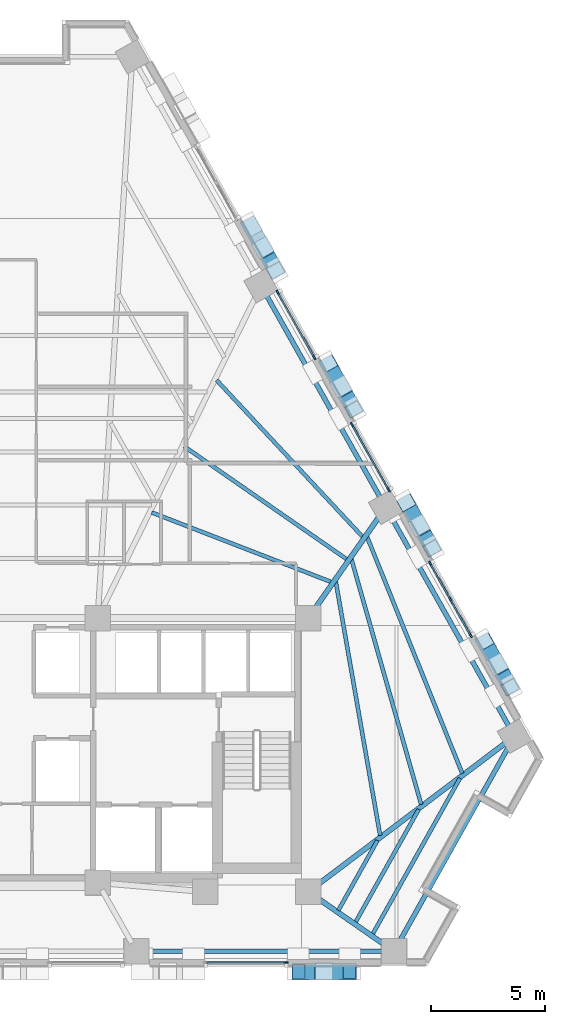
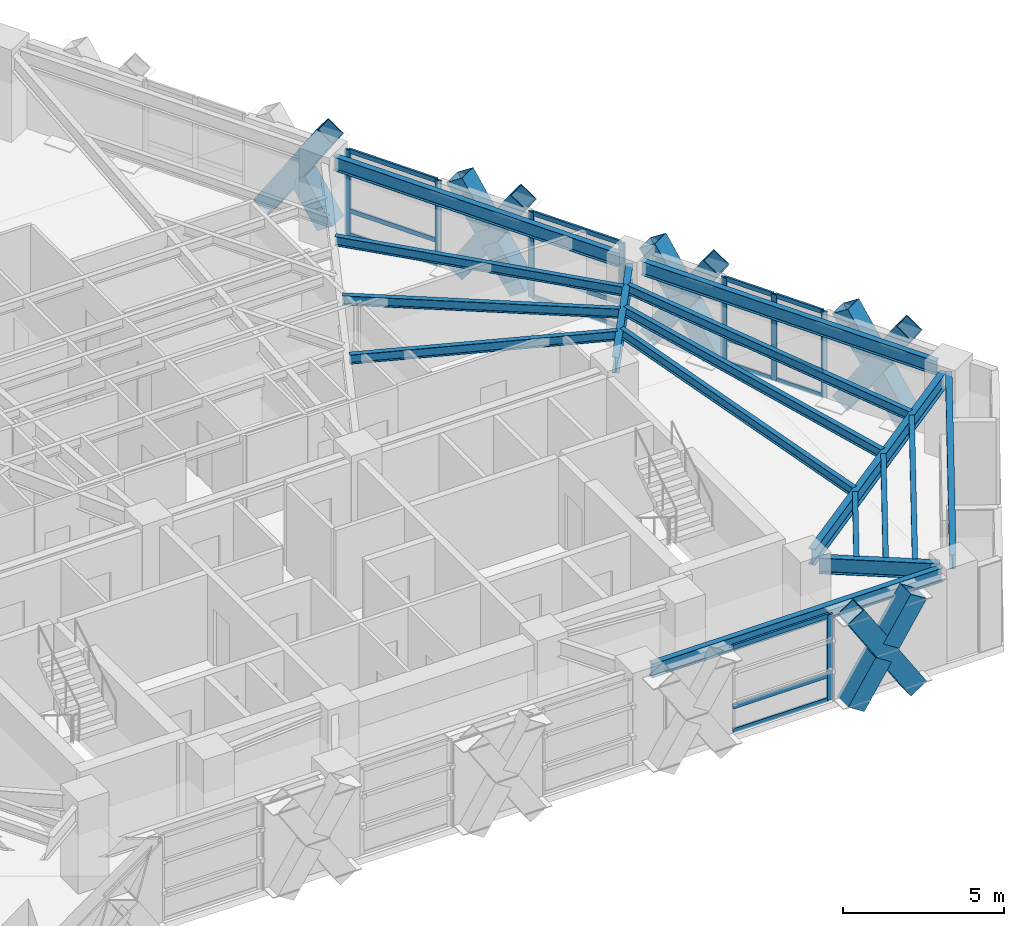
# One storey, part 4 of 14: 37 members, 16 beams, 4 elements without a shape of their own.
"""IFC4 building model written with IfcOpenShell, lengths in metres."""

from ifc_helpers import new_model, si_unit, direction, frame, origin, origin_2d, place, context, subcontext, project, spatial, rectangle, hollow_rectangle, i_section, extrude, material, material_profile, profile_set, type_object, element, aggregate, save


model = new_model("IFC4")

# Units and contexts
model_context = context("Model", 3, precision=1e-05, world=origin(), true_north=direction((0.0, 1.0)))
body_context = subcontext(model_context, "Body", "Model", "MODEL_VIEW")
ifc_project = project(units=[si_unit("LENGTHUNIT", "METRE"), si_unit("AREAUNIT", "SQUARE_METRE"), si_unit("VOLUMEUNIT", "CUBIC_METRE"), si_unit("PLANEANGLEUNIT", "RADIAN"), si_unit("MASSUNIT", "GRAM", prefix="KILO")], contexts=[model_context])

# Site, building, storey
site_placement = place(None, origin())
site = spatial("IfcSite", under=ifc_project, at=site_placement, CompositionType="ELEMENT")
building_placement = place(site_placement, origin())
building = spatial("IfcBuilding", under=site, at=building_placement, Name="Quenlor Broadcast Tower", CompositionType="ELEMENT")
storey_placement = place(building_placement, frame((0.0, 0.0, 112.5)))
storey = spatial("IfcBuildingStorey", under=building, at=storey_placement, Name="L30", CompositionType="ELEMENT", Elevation=112.5)

# Curtain wall, member
ifc_material_1 = material(Name="Architectural Terracotta and Low-E Glazing", Category="masonry")
curtain_wall_type = type_object("IfcCurtainWallType", Name="Unitised Terracotta Curtain Wall System Z2", PredefinedType="NOTDEFINED", material=ifc_material_1)
curtain_wall_1_placement = place(storey_placement, origin())
curtain_wall_1 = element("IfcCurtainWall", 1, at=curtain_wall_1_placement, inside=storey, type_object=curtain_wall_type, Name="L30 Curtain Wall CW2 (L30-SA-G1)", PredefinedType="NOTDEFINED")
ifc_material_2 = material(Name="Aluminium 6063-T6", Category="aluminium")
ifc_material_profile_1 = material_profile(ifc_material_2, rectangle(XDim=0.074951171875, YDim=0.199951171875, at=origin_2d()))
ifc_profile_set_1 = profile_set([ifc_material_profile_1], Name="Aluminium 6063-T6 MULL75x200")
member_type_1 = type_object("IfcMemberType", Name="CW2 Aluminium Mullion MULL_CW2", PredefinedType="MULLION", material=ifc_profile_set_1)
member_1_placement = place(storey_placement, frame((11.981689453125, -19.840087890625, 0.0), z_axis=(0.0, 0.0, 1.0), x_axis=(0.0, -1.0, 0.0)))
member_1 = element("IfcMember", 2, at=member_1_placement, type_object=member_type_1, Name="CW2 mullion 1", PredefinedType="MULLION", context=body_context, shape_type="SweptSolid", body=[
    extrude(rectangle(XDim=0.074951171875, YDim=0.199951171875, at=origin_2d()), origin(), (0.0, 0.0, 1.0), 3.25),
])

# Curtain wall, members
curtain_wall_2_placement = place(storey_placement, origin())
curtain_wall_2 = element("IfcCurtainWall", 3, at=curtain_wall_2_placement, inside=storey, type_object=curtain_wall_type, Name="L30 Curtain Wall CW2 (L30-NEC-G1)", PredefinedType="NOTDEFINED")
member_2_placement = place(storey_placement, frame((18.270263671875, -2.406982421875, 0.0), z_axis=(0.0, 0.0, 1.0), x_axis=(0.871566839915, 0.490276701018, 0.0)))
member_2 = element("IfcMember", 4, at=member_2_placement, type_object=member_type_1, Name="CW2 mullion 1", PredefinedType="MULLION", context=body_context, shape_type="SweptSolid", body=[
    extrude(rectangle(XDim=0.074951171875, YDim=0.199951171875, at=origin_2d()), origin(), (0.0, 0.0, 1.0), 3.25),
])
member_3_placement = place(storey_placement, frame((19.155029296875, -3.97998046875, 0.0), z_axis=(0.0, 0.0, 1.0), x_axis=(0.871566839915, 0.490276701018, 0.0)))
member_3 = element("IfcMember", 5, at=member_3_placement, type_object=member_type_1, Name="CW2 mullion 2", PredefinedType="MULLION", context=body_context, shape_type="SweptSolid", body=[
    extrude(rectangle(XDim=0.074951171875, YDim=0.199951171875, at=origin_2d()), origin(), (0.0, 0.0, 1.0), 3.25),
])
member_4_placement = place(storey_placement, frame((20.0400390625, -5.55322265625, 0.0), z_axis=(0.0, 0.0, 1.0), x_axis=(0.871566839915, 0.490276701018, 0.0)))
member_4 = element("IfcMember", 6, at=member_4_placement, type_object=member_type_1, Name="CW2 mullion 3", PredefinedType="MULLION", context=body_context, shape_type="SweptSolid", body=[
    extrude(rectangle(XDim=0.074951171875, YDim=0.199951171875, at=origin_2d()), origin(), (0.0, 0.0, 1.0), 3.25),
])

curtain_wall_3_placement = place(storey_placement, origin())
curtain_wall_3 = element("IfcCurtainWall", 7, at=curtain_wall_3_placement, inside=storey, type_object=curtain_wall_type, Name="L30 Curtain Wall CW2 (L30-NE-G1)", PredefinedType="NOTDEFINED")
member_5_placement = place(storey_placement, frame((11.611572265625, 9.430419921875, 0.0), z_axis=(0.0, 0.0, 1.0), x_axis=(0.871575537123, 0.490261239636, 0.0)))
member_5 = element("IfcMember", 8, at=member_5_placement, type_object=member_type_1, Name="CW2 mullion 1", PredefinedType="MULLION", context=body_context, shape_type="SweptSolid", body=[
    extrude(rectangle(XDim=0.074951171875, YDim=0.199951171875, at=origin_2d()), origin(), (0.0, 0.0, 1.0), 3.25),
])
member_6_placement = place(storey_placement, frame((13.2138671875, 6.582275390625, 0.0), z_axis=(0.0, 0.0, 1.0), x_axis=(0.871575537123, 0.490261239636, 0.0)))
member_6 = element("IfcMember", 9, at=member_6_placement, type_object=member_type_1, Name="CW2 mullion 2", PredefinedType="MULLION", context=body_context, shape_type="SweptSolid", body=[
    extrude(rectangle(XDim=0.074951171875, YDim=0.199951171875, at=origin_2d()), origin(), (0.0, 0.0, 1.0), 3.25),
])

curtain_wall_4_placement = place(storey_placement, origin())
curtain_wall_4 = element("IfcCurtainWall", 10, at=curtain_wall_4_placement, inside=storey, type_object=curtain_wall_type, Name="L30 Curtain Wall CW2 (L30-NE-G2)", PredefinedType="NOTDEFINED")
member_7_placement = place(storey_placement, frame((14.857177734375, 3.660888671875, 0.0), z_axis=(0.0, 0.0, 1.0), x_axis=(0.871575537123, 0.490261239636, 0.0)))
member_7 = element("IfcMember", 11, at=member_7_placement, type_object=member_type_1, Name="CW2 mullion 1", PredefinedType="MULLION", context=body_context, shape_type="SweptSolid", body=[
    extrude(rectangle(XDim=0.074951171875, YDim=0.199951171875, at=origin_2d()), origin(), (0.0, 0.0, 1.0), 3.25),
])
member_8_placement = place(storey_placement, frame((16.459228515625, 0.812744140625, 0.0), z_axis=(0.0, 0.0, 1.0), x_axis=(0.871575537123, 0.490261239636, 0.0)))
member_8 = element("IfcMember", 12, at=member_8_placement, type_object=member_type_1, Name="CW2 mullion 2", PredefinedType="MULLION", context=body_context, shape_type="SweptSolid", body=[
    extrude(rectangle(XDim=0.074951171875, YDim=0.199951171875, at=origin_2d()), origin(), (0.0, 0.0, 1.0), 3.25),
])

# Member
ifc_material_3 = material(Name="Aluminium 6063-T6", Category="aluminium")
ifc_material_profile_2 = material_profile(ifc_material_3, rectangle(XDim=0.074951171875, YDim=0.1650390625, at=origin_2d()))
ifc_profile_set_2 = profile_set([ifc_material_profile_2], Name="Aluminium 6063-T6 TRAN75x165")
member_type_2 = type_object("IfcMemberType", Name="CW2 Aluminium Transom TRAN_CW2", PredefinedType="USERDEFINED", material=ifc_profile_set_2)
member_9_placement = place(storey_placement, frame((11.944091796875, -19.840087890625, 0.03759765625), z_axis=(-1.0, 0.0, 0.0), x_axis=(0.0, -1.0, 0.0)))
member_9 = element("IfcMember", 13, at=member_9_placement, type_object=member_type_2, Name="CW2 transom 1.1", ObjectType="TRANSOM", PredefinedType="USERDEFINED", context=body_context, shape_type="SweptSolid", body=[
    extrude(rectangle(XDim=0.074951171875, YDim=0.1650390625, at=origin_2d()), origin(), (0.0, 0.0, 1.0), 3.435546875),
])

member_10_placement = place(storey_placement, frame((11.944091796875, -19.840087890625, 0.949951171875), z_axis=(-1.0, 0.0, 0.0), x_axis=(0.0, -1.0, 0.0)))
member_10 = element("IfcMember", 14, at=member_10_placement, type_object=member_type_2, Name="CW2 transom 1.2", ObjectType="TRANSOM", PredefinedType="USERDEFINED", context=body_context, shape_type="SweptSolid", body=[
    extrude(rectangle(XDim=0.074951171875, YDim=0.1650390625, at=origin_2d()), origin(), (0.0, 0.0, 1.0), 3.435546875),
])

member_11_placement = place(storey_placement, frame((11.944091796875, -19.840087890625, 3.21240234375), z_axis=(-1.0, 0.0, 0.0), x_axis=(0.0, -1.0, 0.0)))
member_11 = element("IfcMember", 15, at=member_11_placement, type_object=member_type_2, Name="CW2 transom 1.3", ObjectType="TRANSOM", PredefinedType="USERDEFINED", context=body_context, shape_type="SweptSolid", body=[
    extrude(rectangle(XDim=0.074951171875, YDim=0.1650390625, at=origin_2d()), origin(), (0.0, 0.0, 1.0), 3.435546875),
])

aggregate(curtain_wall_1, [member_1, member_9, member_10, member_11])

member_12_placement = place(storey_placement, frame((18.28857421875, -2.439453125, 0.03759765625), z_axis=(0.490261239633, -0.871575537125, 0.0), x_axis=(0.871575537125, 0.490261239633, 0.0)))
member_12 = element("IfcMember", 16, at=member_12_placement, type_object=member_type_2, Name="CW2 transom 1.1", ObjectType="TRANSOM", PredefinedType="USERDEFINED", context=body_context, shape_type="SweptSolid", body=[
    extrude(rectangle(XDim=0.074951171875, YDim=0.1650390625, at=origin_2d()), origin(), (0.0, 0.0, 1.0), 1.72998046875),
])

member_13_placement = place(storey_placement, frame((18.28857421875, -2.439453125, 0.949951171875), z_axis=(0.490261239633, -0.871575537125, 0.0), x_axis=(0.871575537125, 0.490261239633, 0.0)))
member_13 = element("IfcMember", 17, at=member_13_placement, type_object=member_type_2, Name="CW2 transom 1.2", ObjectType="TRANSOM", PredefinedType="USERDEFINED", context=body_context, shape_type="SweptSolid", body=[
    extrude(rectangle(XDim=0.074951171875, YDim=0.1650390625, at=origin_2d()), origin(), (0.0, 0.0, 1.0), 1.72998046875),
])

member_14_placement = place(storey_placement, frame((18.28857421875, -2.439453125, 3.21240234375), z_axis=(0.490261239633, -0.871575537125, 0.0), x_axis=(0.871575537125, 0.490261239633, 0.0)))
member_14 = element("IfcMember", 18, at=member_14_placement, type_object=member_type_2, Name="CW2 transom 1.3", ObjectType="TRANSOM", PredefinedType="USERDEFINED", context=body_context, shape_type="SweptSolid", body=[
    extrude(rectangle(XDim=0.074951171875, YDim=0.1650390625, at=origin_2d()), origin(), (0.0, 0.0, 1.0), 1.72998046875),
])

member_15_placement = place(storey_placement, frame((19.173583984375, -4.0126953125, 0.03759765625), z_axis=(0.490261239633, -0.871575537125, 0.0), x_axis=(0.871575537125, 0.490261239633, 0.0)))
member_15 = element("IfcMember", 19, at=member_15_placement, type_object=member_type_2, Name="CW2 transom 2.1", ObjectType="TRANSOM", PredefinedType="USERDEFINED", context=body_context, shape_type="SweptSolid", body=[
    extrude(rectangle(XDim=0.074951171875, YDim=0.1650390625, at=origin_2d()), origin(), (0.0, 0.0, 1.0), 1.72998046875),
])

member_16_placement = place(storey_placement, frame((19.173583984375, -4.0126953125, 0.949951171875), z_axis=(0.490261239633, -0.871575537125, 0.0), x_axis=(0.871575537125, 0.490261239633, 0.0)))
member_16 = element("IfcMember", 20, at=member_16_placement, type_object=member_type_2, Name="CW2 transom 2.2", ObjectType="TRANSOM", PredefinedType="USERDEFINED", context=body_context, shape_type="SweptSolid", body=[
    extrude(rectangle(XDim=0.074951171875, YDim=0.1650390625, at=origin_2d()), origin(), (0.0, 0.0, 1.0), 1.72998046875),
])

member_17_placement = place(storey_placement, frame((19.173583984375, -4.0126953125, 3.21240234375), z_axis=(0.490261239633, -0.871575537125, 0.0), x_axis=(0.871575537125, 0.490261239633, 0.0)))
member_17 = element("IfcMember", 21, at=member_17_placement, type_object=member_type_2, Name="CW2 transom 2.3", ObjectType="TRANSOM", PredefinedType="USERDEFINED", context=body_context, shape_type="SweptSolid", body=[
    extrude(rectangle(XDim=0.074951171875, YDim=0.1650390625, at=origin_2d()), origin(), (0.0, 0.0, 1.0), 1.72998046875),
])

aggregate(curtain_wall_2, [member_2, member_3, member_4, member_12, member_13, member_14, member_15, member_16, member_17])

member_18_placement = place(storey_placement, frame((11.630126953125, 9.39794921875, 0.03759765625), z_axis=(0.490206784037, -0.871606166158, 0.0), x_axis=(0.871606166158, 0.490206784037, 0.0)))
member_18 = element("IfcMember", 22, at=member_18_placement, type_object=member_type_2, Name="CW2 transom 1.1", ObjectType="TRANSOM", PredefinedType="USERDEFINED", context=body_context, shape_type="SweptSolid", body=[
    extrude(rectangle(XDim=0.074951171875, YDim=0.1650390625, at=origin_2d()), origin(), (0.0, 0.0, 1.0), 3.19287109375),
])

member_19_placement = place(storey_placement, frame((11.630126953125, 9.39794921875, 0.949951171875), z_axis=(0.490206784037, -0.871606166158, 0.0), x_axis=(0.871606166158, 0.490206784037, 0.0)))
member_19 = element("IfcMember", 23, at=member_19_placement, type_object=member_type_2, Name="CW2 transom 1.2", ObjectType="TRANSOM", PredefinedType="USERDEFINED", context=body_context, shape_type="SweptSolid", body=[
    extrude(rectangle(XDim=0.074951171875, YDim=0.1650390625, at=origin_2d()), origin(), (0.0, 0.0, 1.0), 3.19287109375),
])

member_20_placement = place(storey_placement, frame((11.630126953125, 9.39794921875, 3.21240234375), z_axis=(0.490206784037, -0.871606166158, 0.0), x_axis=(0.871606166158, 0.490206784037, 0.0)))
member_20 = element("IfcMember", 24, at=member_20_placement, type_object=member_type_2, Name="CW2 transom 1.3", ObjectType="TRANSOM", PredefinedType="USERDEFINED", context=body_context, shape_type="SweptSolid", body=[
    extrude(rectangle(XDim=0.074951171875, YDim=0.1650390625, at=origin_2d()), origin(), (0.0, 0.0, 1.0), 3.19287109375),
])

aggregate(curtain_wall_3, [member_5, member_6, member_18, member_19, member_20])

member_21_placement = place(storey_placement, frame((14.87548828125, 3.628173828125, 0.03759765625), z_axis=(0.490297543358, -0.871555115283, 0.0), x_axis=(0.871555115283, 0.490297543358, 0.0)))
member_21 = element("IfcMember", 25, at=member_21_placement, type_object=member_type_2, Name="CW2 transom 1.1", ObjectType="TRANSOM", PredefinedType="USERDEFINED", context=body_context, shape_type="SweptSolid", body=[
    extrude(rectangle(XDim=0.074951171875, YDim=0.1650390625, at=origin_2d()), origin(), (0.0, 0.0, 1.0), 3.19287109375),
])

member_22_placement = place(storey_placement, frame((14.87548828125, 3.628173828125, 0.949951171875), z_axis=(0.490297543358, -0.871555115283, 0.0), x_axis=(0.871555115283, 0.490297543358, 0.0)))
member_22 = element("IfcMember", 26, at=member_22_placement, type_object=member_type_2, Name="CW2 transom 1.2", ObjectType="TRANSOM", PredefinedType="USERDEFINED", context=body_context, shape_type="SweptSolid", body=[
    extrude(rectangle(XDim=0.074951171875, YDim=0.1650390625, at=origin_2d()), origin(), (0.0, 0.0, 1.0), 3.19287109375),
])

member_23_placement = place(storey_placement, frame((14.87548828125, 3.628173828125, 3.21240234375), z_axis=(0.490297543358, -0.871555115283, 0.0), x_axis=(0.871555115283, 0.490297543358, 0.0)))
member_23 = element("IfcMember", 27, at=member_23_placement, type_object=member_type_2, Name="CW2 transom 1.3", ObjectType="TRANSOM", PredefinedType="USERDEFINED", context=body_context, shape_type="SweptSolid", body=[
    extrude(rectangle(XDim=0.074951171875, YDim=0.1650390625, at=origin_2d()), origin(), (0.0, 0.0, 1.0), 3.19287109375),
])

aggregate(curtain_wall_4, [member_7, member_8, member_21, member_22, member_23])

# Members
ifc_material_4 = material(Name="Steel S355", Category="steel")
ifc_material_profile_3 = material_profile(ifc_material_4, hollow_rectangle(XDim=0.679931640625, YDim=0.679931640625, WallThickness=0.030029296875, at=origin_2d()))
ifc_profile_set_3 = profile_set([ifc_material_profile_3], Name="Steel S355 RHS680x680x30")
member_type_3 = type_object("IfcMemberType", Name="Perimeter Diagonal Lattice Brace Z2 Steel S355 RHS680x30", PredefinedType="BRACE", material=ifc_profile_set_3)
member_24_placement = place(storey_placement, frame((14.7578125, -20.235107421875, -0.1201171875), z_axis=(-0.539926440573, 0.0, 0.841712206618), x_axis=(0.0, -1.0, 0.0)))
element("IfcMember", 28, at=member_24_placement, inside=storey, type_object=member_type_3, Name="L30 Perimeter Diamond Lattice S-C1XA", PredefinedType="BRACE", context=body_context, shape_type="SweptSolid", body=[
    extrude(hollow_rectangle(XDim=0.679931640625, YDim=0.679931640625, WallThickness=0.030029296875, at=origin_2d()), origin(), (0.0, 0.0, 1.0), 4.158203125),
])
member_25_placement = place(storey_placement, frame((12.5126953125, -20.235107421875, -0.1201171875), z_axis=(0.539860138754, 0.0, 0.841754733034), x_axis=(0.0, 1.0, 0.0)))
element("IfcMember", 29, at=member_25_placement, inside=storey, type_object=member_type_3, Name="L30 Perimeter Diamond Lattice S-C1XB1", PredefinedType="BRACE", context=body_context, shape_type="SweptSolid", body=[
    extrude(hollow_rectangle(XDim=0.679931640625, YDim=0.679931640625, WallThickness=0.030029296875, at=origin_2d()), origin(), (0.0, 0.0, 1.0), 1.829345703125),
])
member_26_placement = place(storey_placement, frame((13.770263671875, -20.235107421875, 1.84033203125), z_axis=(0.539920793993, 0.0, 0.841715828658), x_axis=(0.0, 1.0, 0.0)))
element("IfcMember", 30, at=member_26_placement, inside=storey, type_object=member_type_3, Name="L30 Perimeter Diamond Lattice S-C1XB2", PredefinedType="BRACE", context=body_context, shape_type="SweptSolid", body=[
    extrude(hollow_rectangle(XDim=0.679931640625, YDim=0.679931640625, WallThickness=0.030029296875, at=origin_2d()), origin(), (0.0, 0.0, 1.0), 1.8291015625),
])
member_27_placement = place(storey_placement, frame((10.40478515625, 12.382080078125, -0.1201171875), z_axis=(0.268642373731, -0.477592925498, 0.83650240439), x_axis=(0.871578380919, 0.490256183964, 0.0)))
element("IfcMember", 31, at=member_27_placement, inside=storey, type_object=member_type_3, Name="L30 Perimeter Diamond Lattice NE-C2XA", PredefinedType="BRACE", context=body_context, shape_type="SweptSolid", body=[
    extrude(hollow_rectangle(XDim=0.679931640625, YDim=0.679931640625, WallThickness=0.030029296875, at=origin_2d()), origin(), (0.0, 0.0, 1.0), 4.18408203125),
])
member_28_placement = place(storey_placement, frame((11.52880859375, 10.3837890625, -0.1201171875), z_axis=(-0.268626747826, 0.477617562488, 0.836493355834), x_axis=(-0.871601370751, -0.490215310353, 0.0)))
element("IfcMember", 32, at=member_28_placement, inside=storey, type_object=member_type_3, Name="L30 Perimeter Diamond Lattice NE-C2XB1", PredefinedType="BRACE", context=body_context, shape_type="SweptSolid", body=[
    extrude(hollow_rectangle(XDim=0.679931640625, YDim=0.679931640625, WallThickness=0.030029296875, at=origin_2d()), origin(), (0.0, 0.0, 1.0), 1.84228515625),
])
member_29_placement = place(storey_placement, frame((13.81787109375, 6.314453125, -0.1201171875), z_axis=(0.268642373731, -0.477592925498, 0.83650240439), x_axis=(0.871578380919, 0.490256183964, 0.0)))
element("IfcMember", 33, at=member_29_placement, inside=storey, type_object=member_type_3, Name="L30 Perimeter Diamond Lattice NE-C3XA", PredefinedType="BRACE", context=body_context, shape_type="SweptSolid", body=[
    extrude(hollow_rectangle(XDim=0.679931640625, YDim=0.679931640625, WallThickness=0.030029296875, at=origin_2d()), origin(), (0.0, 0.0, 1.0), 4.18408203125),
])
for number, where, z_axis, x_axis, name in (
    (34, (14.94189453125, 4.316162109375, -0.1201171875), (-0.268643750061, 0.477515259729, 0.836546300141), (-0.871543234879, -0.490318661421, 0.0), "L30 Perimeter Diamond Lattice NE-C3XB1"),
    (35, (14.3125, 5.4345703125, 1.839111328125), (-0.268533549845, 0.477687519073, 0.836483333205), (-0.871704696361, -0.490031552394, 0.0), "L30 Perimeter Diamond Lattice NE-C3XB2"),
):
    element("IfcMember", number, at=place(storey_placement, frame(where, z_axis=z_axis, x_axis=x_axis)), inside=storey, type_object=member_type_3, Name=name, PredefinedType="BRACE", context=body_context, shape_type="SweptSolid", body=[
        extrude(hollow_rectangle(XDim=0.679931640625, YDim=0.679931640625, WallThickness=0.030029296875, at=origin_2d()), origin(), (0.0, 0.0, 1.0), 1.842041015625),
    ])
member_30_placement = place(storey_placement, frame((17.230712890625, 0.24658203125, -0.1201171875), z_axis=(0.268696511206, -0.477585438485, 0.836489290913), x_axis=(0.871532878923, 0.490337068716, 0.0)))
element("IfcMember", 36, at=member_30_placement, inside=storey, type_object=member_type_3, Name="L30 Perimeter Diamond Lattice NE-C4XA", PredefinedType="BRACE", context=body_context, shape_type="SweptSolid", body=[
    extrude(hollow_rectangle(XDim=0.679931640625, YDim=0.679931640625, WallThickness=0.030029296875, at=origin_2d()), origin(), (0.0, 0.0, 1.0), 4.18408203125),
])
member_31_placement = place(storey_placement, frame((18.35498046875, -1.751708984375, -0.1201171875), z_axis=(-0.268626747826, 0.477617562488, 0.836493355834), x_axis=(-0.871601370751, -0.490215310353, 0.0)))
element("IfcMember", 37, at=member_31_placement, inside=storey, type_object=member_type_3, Name="L30 Perimeter Diamond Lattice NE-C4XB1", PredefinedType="BRACE", context=body_context, shape_type="SweptSolid", body=[
    extrude(hollow_rectangle(XDim=0.679931640625, YDim=0.679931640625, WallThickness=0.030029296875, at=origin_2d()), origin(), (0.0, 0.0, 1.0), 1.84228515625),
])
member_32_placement = place(storey_placement, frame((17.7255859375, -0.633056640625, 1.839111328125), z_axis=(-0.268673537114, 0.477568206326, 0.836506508499), x_axis=(-0.871543234879, -0.490318661421, 0.0)))
element("IfcMember", 38, at=member_32_placement, inside=storey, type_object=member_type_3, Name="L30 Perimeter Diamond Lattice NE-C4XB2", PredefinedType="BRACE", context=body_context, shape_type="SweptSolid", body=[
    extrude(hollow_rectangle(XDim=0.679931640625, YDim=0.679931640625, WallThickness=0.030029296875, at=origin_2d()), origin(), (0.0, 0.0, 1.0), 1.841796875),
])
member_33_placement = place(storey_placement, frame((20.643798828125, -5.821044921875, -0.1201171875), z_axis=(0.268696511206, -0.477585438485, 0.836489290913), x_axis=(0.871532878923, 0.490337068716, 0.0)))
element("IfcMember", 39, at=member_33_placement, inside=storey, type_object=member_type_3, Name="L30 Perimeter Diamond Lattice NE-C5XA", PredefinedType="BRACE", context=body_context, shape_type="SweptSolid", body=[
    extrude(hollow_rectangle(XDim=0.679931640625, YDim=0.679931640625, WallThickness=0.030029296875, at=origin_2d()), origin(), (0.0, 0.0, 1.0), 4.18408203125),
])
member_34_placement = place(storey_placement, frame((21.76806640625, -7.8193359375, -0.1201171875), z_axis=(-0.268626747826, 0.477617562488, 0.836493355834), x_axis=(-0.871601370751, -0.490215310353, 0.0)))
element("IfcMember", 40, at=member_34_placement, inside=storey, type_object=member_type_3, Name="L30 Perimeter Diamond Lattice NE-C5XB1", PredefinedType="BRACE", context=body_context, shape_type="SweptSolid", body=[
    extrude(hollow_rectangle(XDim=0.679931640625, YDim=0.679931640625, WallThickness=0.030029296875, at=origin_2d()), origin(), (0.0, 0.0, 1.0), 1.84228515625),
])
member_35_placement = place(storey_placement, frame((21.138916015625, -6.70068359375, 1.839111328125), z_axis=(-0.268796509928, 0.477551195893, 0.836476713096), x_axis=(-0.871439858367, -0.49050236824, 0.0)))
element("IfcMember", 41, at=member_35_placement, inside=storey, type_object=member_type_3, Name="L30 Perimeter Diamond Lattice NE-C5XB2", PredefinedType="BRACE", context=body_context, shape_type="SweptSolid", body=[
    extrude(hollow_rectangle(XDim=0.679931640625, YDim=0.679931640625, WallThickness=0.030029296875, at=origin_2d()), origin(), (0.0, 0.0, 1.0), 1.842041015625),
])

# Beams
ifc_material_5 = material(Name="Steel S355", Category="steel")
ifc_material_profile_4 = material_profile(ifc_material_5, i_section(OverallWidth=0.208984375, OverallDepth=0.5283203125, WebThickness=0.009521484375, FlangeThickness=0.01318359375, FilletRadius=0.013916015625, at=origin_2d()))
ifc_profile_set_4 = profile_set([ifc_material_profile_4], Name="Steel S355 530UB82.0")
beam_type_1 = type_object("IfcBeamType", Name="Perimeter Spandrel Beam Z2 Steel S355 530UB82.0", PredefinedType="SPANDREL", material=ifc_profile_set_4)
beam_1_placement = place(storey_placement, frame((5.853271484375, -19.35009765625, 2.98583984375), z_axis=(1.0, 0.0, 0.0), x_axis=(0.0, 1.0, 0.0)))
element("IfcBeam", 42, at=beam_1_placement, inside=storey, type_object=beam_type_1, Name="L30 Spandrel Beam S3-S4", PredefinedType="SPANDREL", context=body_context, shape_type="SweptSolid", body=[
    extrude(i_section(OverallWidth=0.208984375, OverallDepth=0.5283203125, WebThickness=0.009521484375, FlangeThickness=0.01318359375, FilletRadius=0.013916015625, at=origin_2d()), origin(), (0.0, 0.0, 1.0), 10.42919921875),
])
beam_2_placement = place(storey_placement, frame((16.892822265625, -18.9921875, 2.98583984375), z_axis=(0.488749102779, 0.872424389006, 0.0), x_axis=(-0.872424389006, 0.488749102779, 0.0)))
element("IfcBeam", 43, at=beam_2_placement, inside=storey, type_object=beam_type_1, Name="L30 Spandrel Beam S4-NE1", PredefinedType="SPANDREL", context=body_context, shape_type="SweptSolid", body=[
    extrude(i_section(OverallWidth=0.208984375, OverallDepth=0.5283203125, WebThickness=0.009521484375, FlangeThickness=0.01318359375, FilletRadius=0.013916015625, at=origin_2d()), origin(), (0.0, 0.0, 1.0), 9.947021484375),
])
beam_3_placement = place(storey_placement, frame((21.753662109375, -9.59912109375, 2.98583984375), z_axis=(-0.490263415828, 0.871574313011, 0.0), x_axis=(-0.871574313011, -0.490263415828, 0.0)))
element("IfcBeam", 44, at=beam_3_placement, inside=storey, type_object=beam_type_1, Name="L30 Spandrel Beam NE1-NE2", PredefinedType="SPANDREL", context=body_context, shape_type="SweptSolid", body=[
    extrude(i_section(OverallWidth=0.208984375, OverallDepth=0.5283203125, WebThickness=0.009521484375, FlangeThickness=0.01318359375, FilletRadius=0.013916015625, at=origin_2d()), origin(), (0.0, 0.0, 1.0), 10.65283203125),
])
beam_4_placement = place(storey_placement, frame((16.129150390625, 0.400146484375, 2.98583984375), z_axis=(-0.49026462139, 0.871573634878, 0.0), x_axis=(-0.871573634878, -0.49026462139, 0.0)))
element("IfcBeam", 45, at=beam_4_placement, inside=storey, type_object=beam_type_1, Name="L30 Spandrel Beam NE2-NE3", PredefinedType="SPANDREL", context=body_context, shape_type="SweptSolid", body=[
    extrude(i_section(OverallWidth=0.208984375, OverallDepth=0.5283203125, WebThickness=0.009521484375, FlangeThickness=0.01318359375, FilletRadius=0.013916015625, at=origin_2d()), origin(), (0.0, 0.0, 1.0), 10.28271484375),
])
ifc_material_6 = material(Name="Steel S355", Category="steel")
ifc_material_profile_5 = material_profile(ifc_material_6, i_section(OverallWidth=0.172119140625, OverallDepth=0.358642578125, WebThickness=0.008056640625, FlangeThickness=0.012939453125, FilletRadius=0.011474609375, at=origin_2d()))
ifc_profile_set_5 = profile_set([ifc_material_profile_5], Name="Steel S355 360UB56.7")
beam_type_2 = type_object("IfcBeamType", Name="Tower Composite Joist Z2-Z3 Steel S355 360UB56.7", PredefinedType="JOIST", material=ifc_profile_set_5)
beam_5_placement = place(storey_placement, frame((13.95703125, -3.221435546875, 3.07080078125), z_axis=(-0.932542579586, 0.361060018916, 0.0), x_axis=(-0.361060018916, -0.932542579586, 0.0)))
element("IfcBeam", 46, at=beam_5_placement, inside=storey, type_object=beam_type_2, Name="L30 Secondary Composite Joist 10", PredefinedType="JOIST", context=body_context, shape_type="SweptSolid", body=[
    extrude(i_section(OverallWidth=0.172119140625, OverallDepth=0.358642578125, WebThickness=0.008056640625, FlangeThickness=0.012939453125, FilletRadius=0.011474609375, at=origin_2d()), origin(), (0.0, 0.0, 1.0), 8.416259765625),
])
beam_6_placement = place(storey_placement, frame((14.641845703125, -2.236083984375, 3.07080078125), z_axis=(-0.821385737622, 0.570373097219, 0.0), x_axis=(-0.570373097219, -0.821385737622, 0.0)))
element("IfcBeam", 47, at=beam_6_placement, inside=storey, type_object=beam_type_2, Name="L30 Secondary Composite Joist 11", PredefinedType="JOIST", context=body_context, shape_type="SweptSolid", body=[
    extrude(i_section(OverallWidth=0.172119140625, OverallDepth=0.358642578125, WebThickness=0.008056640625, FlangeThickness=0.012939453125, FilletRadius=0.011474609375, at=origin_2d()), origin(), (0.0, 0.0, 1.0), 8.662109375),
])
beam_7_placement = place(storey_placement, frame((15.3291015625, -1.254638671875, 3.07080078125), z_axis=(-0.681880655944, 0.73146344478, 0.0), x_axis=(-0.73146344478, -0.681880655944, 0.0)))
element("IfcBeam", 48, at=beam_7_placement, inside=storey, type_object=beam_type_2, Name="L30 Secondary Composite Joist 12", PredefinedType="JOIST", context=body_context, shape_type="SweptSolid", body=[
    extrude(i_section(OverallWidth=0.172119140625, OverallDepth=0.358642578125, WebThickness=0.008056640625, FlangeThickness=0.012939453125, FilletRadius=0.011474609375, at=origin_2d()), origin(), (0.0, 0.0, 1.0), 9.365234375),
])
beam_8_placement = place(storey_placement, frame((16.087890625, -14.29345703125, 3.07080078125), z_axis=(-0.172120396521, 0.985075920476, 0.0), x_axis=(-0.985075920476, -0.172120396521, 0.0)))
element("IfcBeam", 49, at=beam_8_placement, inside=storey, type_object=beam_type_2, Name="L30 Secondary Composite Joist 16", PredefinedType="JOIST", context=body_context, shape_type="SweptSolid", body=[
    extrude(i_section(OverallWidth=0.172119140625, OverallDepth=0.358642578125, WebThickness=0.008056640625, FlangeThickness=0.012939453125, FilletRadius=0.011474609375, at=origin_2d()), origin(), (0.0, 0.0, 1.0), 11.27783203125),
])
beam_9_placement = place(storey_placement, frame((17.880615234375, -12.9365234375, 3.07080078125), z_axis=(-0.273563993601, 0.96185380459, 0.0), x_axis=(-0.96185380459, -0.273563993601, 0.0)))
element("IfcBeam", 50, at=beam_9_placement, inside=storey, type_object=beam_type_2, Name="L30 Secondary Composite Joist 17", PredefinedType="JOIST", context=body_context, shape_type="SweptSolid", body=[
    extrude(i_section(OverallWidth=0.172119140625, OverallDepth=0.358642578125, WebThickness=0.008056640625, FlangeThickness=0.012939453125, FilletRadius=0.011474609375, at=origin_2d()), origin(), (0.0, 0.0, 1.0), 11.1484375),
])
beam_10_placement = place(storey_placement, frame((19.673583984375, -11.580810546875, 3.07080078125), z_axis=(-0.373180395983, 0.92775880058, 0.0), x_axis=(-0.92775880058, -0.373180395983, 0.0)))
element("IfcBeam", 51, at=beam_10_placement, inside=storey, type_object=beam_type_2, Name="L30 Secondary Composite Joist 18", PredefinedType="JOIST", context=body_context, shape_type="SweptSolid", body=[
    extrude(i_section(OverallWidth=0.172119140625, OverallDepth=0.358642578125, WebThickness=0.008056640625, FlangeThickness=0.012939453125, FilletRadius=0.011474609375, at=origin_2d()), origin(), (0.0, 0.0, 1.0), 11.143798828125),
])
beam_11_placement = place(storey_placement, frame((14.261474609375, -17.564208984375, 3.07080078125), z_axis=(0.488730779643, 0.87243465373, 0.0), x_axis=(-0.87243465373, 0.488730779643, 0.0)))
element("IfcBeam", 52, at=beam_11_placement, inside=storey, type_object=beam_type_2, Name="L30 Secondary Composite Joist 22", PredefinedType="JOIST", context=body_context, shape_type="SweptSolid", body=[
    extrude(i_section(OverallWidth=0.172119140625, OverallDepth=0.358642578125, WebThickness=0.008056640625, FlangeThickness=0.012939453125, FilletRadius=0.011474609375, at=origin_2d()), origin(), (0.0, 0.0, 1.0), 3.500732421875),
])
beam_12_placement = place(storey_placement, frame((15.010009765625, -18.084228515625, 3.07080078125), z_axis=(0.488741419435, 0.87242869332, 0.0), x_axis=(-0.87242869332, 0.488741419435, 0.0)))
element("IfcBeam", 53, at=beam_12_placement, inside=storey, type_object=beam_type_2, Name="L30 Secondary Composite Joist 23", PredefinedType="JOIST", context=body_context, shape_type="SweptSolid", body=[
    extrude(i_section(OverallWidth=0.172119140625, OverallDepth=0.358642578125, WebThickness=0.008056640625, FlangeThickness=0.012939453125, FilletRadius=0.011474609375, at=origin_2d()), origin(), (0.0, 0.0, 1.0), 5.654052734375),
])
beam_13_placement = place(storey_placement, frame((15.758544921875, -18.604248046875, 3.07080078125), z_axis=(0.488732857155, 0.872433489922, 0.0), x_axis=(-0.872433489922, 0.488732857155, 0.0)))
element("IfcBeam", 54, at=beam_13_placement, inside=storey, type_object=beam_type_2, Name="L30 Secondary Composite Joist 24", PredefinedType="JOIST", context=body_context, shape_type="SweptSolid", body=[
    extrude(i_section(OverallWidth=0.172119140625, OverallDepth=0.358642578125, WebThickness=0.008056640625, FlangeThickness=0.012939453125, FilletRadius=0.011474609375, at=origin_2d()), origin(), (0.0, 0.0, 1.0), 7.807861328125),
])
ifc_material_7 = material(Name="Steel S355", Category="steel")
ifc_material_profile_6 = material_profile(ifc_material_7, i_section(OverallWidth=0.22802734375, OverallDepth=0.60205078125, WebThickness=0.010498046875, FlangeThickness=0.014892578125, FilletRadius=0.013916015625, at=origin_2d()))
ifc_profile_set_6 = profile_set([ifc_material_profile_6], Name="Steel S355 610UB101")
beam_type_3 = type_object("IfcBeamType", Name="Tower Primary Floor Beam Z2 Steel S355 610UB101", PredefinedType="BEAM", material=ifc_profile_set_6)
beam_14_placement = place(storey_placement, frame((16.355712890625, -19.1162109375, 2.948974609375), z_axis=(-0.821227395059, 0.570601056436, 0.0), x_axis=(-0.570601056436, -0.821227395059, 0.0)))
element("IfcBeam", 55, at=beam_14_placement, inside=storey, type_object=beam_type_3, Name="L30 Primary Radial Beam S4", PredefinedType="BEAM", context=body_context, shape_type="SweptSolid", body=[
    extrude(i_section(OverallWidth=0.22802734375, OverallDepth=0.60205078125, WebThickness=0.010498046875, FlangeThickness=0.014892578125, FilletRadius=0.013916015625, at=origin_2d()), origin(), (0.0, 0.0, 1.0), 3.766845703125),
])
beam_15_placement = place(storey_placement, frame((21.62744140625, -10.203369140625, 2.948974609375), z_axis=(-0.798298724007, -0.602261693327, 0.0), x_axis=(0.602261693327, -0.798298724007, 0.0)))
element("IfcBeam", 56, at=beam_15_placement, inside=storey, type_object=beam_type_3, Name="L30 Primary Radial Beam NE1", PredefinedType="BEAM", context=body_context, shape_type="SweptSolid", body=[
    extrude(i_section(OverallWidth=0.22802734375, OverallDepth=0.60205078125, WebThickness=0.010498046875, FlangeThickness=0.014892578125, FilletRadius=0.013916015625, at=origin_2d()), origin(), (0.0, 0.0, 1.0), 10.48974609375),
])
beam_16_placement = place(storey_placement, frame((16.095458984375, -0.293212890625, 2.948974609375), z_axis=(-0.572337599985, -0.820018092266, 0.0), x_axis=(0.820018092266, -0.572337599985, 0.0)))
element("IfcBeam", 57, at=beam_16_placement, inside=storey, type_object=beam_type_3, Name="L30 Primary Radial Beam NE2", PredefinedType="BEAM", context=body_context, shape_type="SweptSolid", body=[
    extrude(i_section(OverallWidth=0.22802734375, OverallDepth=0.60205078125, WebThickness=0.010498046875, FlangeThickness=0.014892578125, FilletRadius=0.013916015625, at=origin_2d()), origin(), (0.0, 0.0, 1.0), 5.11572265625),
])

save(model, "model.ifc")
